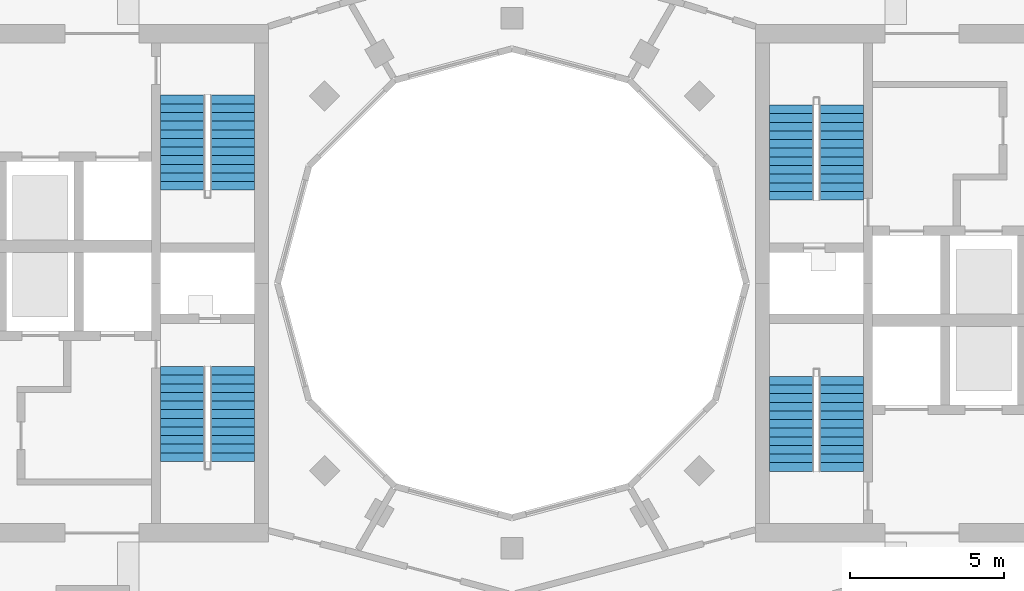
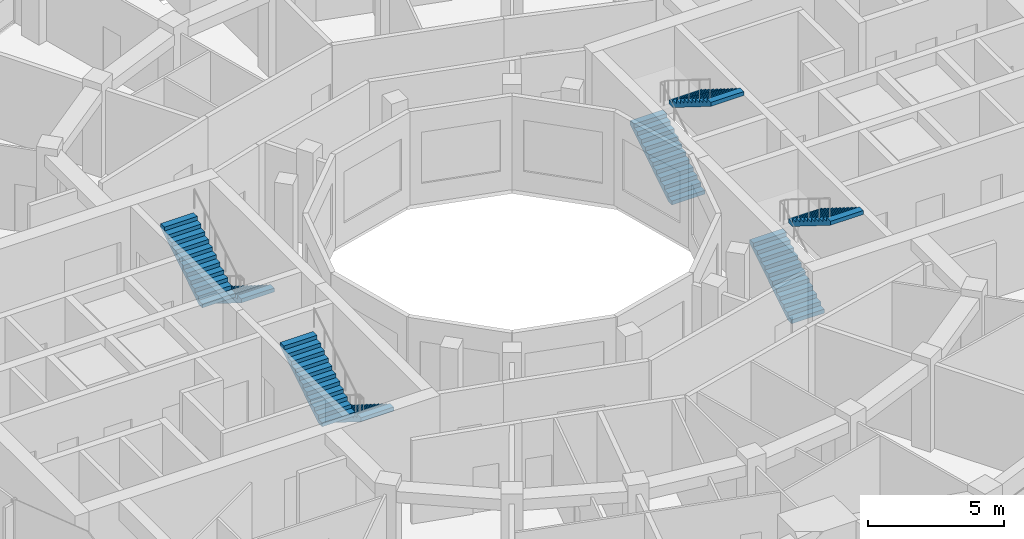
# One storey, part 13 of 15: 8 stair flights, 4 elements without a shape of their own.
"""IFC4 building model written with IfcOpenShell, lengths in metres."""

from ifc_helpers import new_model, si_unit, direction, frame, origin, place, context, subcontext, project, spatial, polyline, outline, extrude, material, layer, layer_set, type_object, element, aggregate, save


model = new_model("IFC4")

# Units and contexts
model_context = context("Model", 3, precision=1e-05, world=origin(), true_north=direction((0.0, 1.0)))
body_context = subcontext(model_context, "Body", "Model", "MODEL_VIEW")
ifc_project = project(units=[si_unit("LENGTHUNIT", "METRE"), si_unit("AREAUNIT", "SQUARE_METRE"), si_unit("VOLUMEUNIT", "CUBIC_METRE"), si_unit("PLANEANGLEUNIT", "RADIAN"), si_unit("MASSUNIT", "GRAM", prefix="KILO")], contexts=[model_context])

# Site, building, storey
site_placement = place(None, origin())
site = spatial("IfcSite", under=ifc_project, at=site_placement, CompositionType="ELEMENT")
building_placement = place(site_placement, origin())
building = spatial("IfcBuilding", under=site, at=building_placement, Name="Torre Brocal", CompositionType="ELEMENT")
storey_placement = place(building_placement, frame((0.0, 0.0, 216.699951171875)))
storey = spatial("IfcBuildingStorey", under=building, at=storey_placement, Name="L50", CompositionType="ELEMENT", Elevation=216.699951171875)

# Stair, stair flights
ifc_material_1 = material(Name="Concrete C50", Category="concrete")
stair_type = type_object("IfcStairType", Name="EXIT STAIR", PredefinedType="HALF_TURN_STAIR", material=ifc_material_1)
stair_1_placement = place(storey_placement, origin())
stair_1 = element("IfcStair", 1, at=stair_1_placement, inside=storey, type_object=stair_type, Name="EXIT STAIR ST1", PredefinedType="HALF_TURN_STAIR")
ifc_material_2 = material(Name="Concrete C50", Category="concrete")
ifc_layer = layer(ifc_material_2, 0.14990234375)
ifc_layer_set = layer_set([ifc_layer], Name="Concrete C50")
stair_flight_type = type_object("IfcStairFlightType", Name="STAIR FLIGHT", PredefinedType="STRAIGHT", material=ifc_layer_set)
stair_flight_1_placement = place(storey_placement, frame((89.050048828125, 77.699951171875, 0.0), z_axis=(0.0, 0.0, 1.0), x_axis=(0.0, 1.0, 0.0)))
stair_flight_1 = element("IfcStairFlight", 2, at=stair_flight_1_placement, type_object=stair_flight_type, Name="ST1 flight 1", NumberOfRisers=12, NumberOfTreads=11, PredefinedType="STRAIGHT", RiserHeight=0.175, TreadLength=0.28, context=body_context, shape_type="SweptSolid", body=[
    extrude(outline(polyline([(0.0, 0.0), (0.0, 0.175048828125), (0.280029296875, 0.175048828125), (0.280029296875, 0.35009765625), (0.56005859375, 0.35009765625), (0.56005859375, 0.52490234375), (0.840087890625, 0.52490234375), (0.840087890625, 0.699951171875), (1.1201171875, 0.699951171875), (1.1201171875, 0.875), (1.39990234375, 0.875), (1.39990234375, 1.050048828125), (1.679931640625, 1.050048828125), (1.679931640625, 1.22509765625), (1.9599609375, 1.22509765625), (1.9599609375, 1.39990234375), (2.239990234375, 1.39990234375), (2.239990234375, 1.574951171875), (2.52001953125, 1.574951171875), (2.52001953125, 1.75), (2.800048828125, 1.75), (2.800048828125, 1.925048828125), (3.080078125, 1.925048828125), (3.080078125, 2.10009765625), (3.080078125, 1.748291015625), (0.28271484375, 0.0), (0.0, 0.0)])), frame((0.0, 0.699951171875, 0.0), z_axis=(0.0, -1.0, 0.0), x_axis=(1.0, 0.0, 0.0)), (0.0, 0.0, 1.0), 1.39990234375),
])
stair_flight_2_placement = place(storey_placement, frame((90.699951171875, 80.780029296875, 2.10009765625), z_axis=(0.0, 0.0, 1.0), x_axis=(0.0, -1.0, 0.0)))
stair_flight_2 = element("IfcStairFlight", 3, at=stair_flight_2_placement, type_object=stair_flight_type, Name="ST1 flight 2", NumberOfRisers=12, NumberOfTreads=11, PredefinedType="STRAIGHT", RiserHeight=0.175, TreadLength=0.28, context=body_context, shape_type="SweptSolid", body=[
    extrude(outline(polyline([(0.0, 0.0), (0.0, 0.175048828125), (0.280029296875, 0.175048828125), (0.280029296875, 0.35009765625), (0.56005859375, 0.35009765625), (0.56005859375, 0.52490234375), (0.840087890625, 0.52490234375), (0.840087890625, 0.699951171875), (1.1201171875, 0.699951171875), (1.1201171875, 0.875), (1.39990234375, 0.875), (1.39990234375, 1.050048828125), (1.679931640625, 1.050048828125), (1.679931640625, 1.22509765625), (1.9599609375, 1.22509765625), (1.9599609375, 1.39990234375), (2.239990234375, 1.39990234375), (2.239990234375, 1.574951171875), (2.52001953125, 1.574951171875), (2.52001953125, 1.75), (2.800048828125, 1.75), (2.800048828125, 1.925048828125), (3.080078125, 1.925048828125), (3.080078125, 2.10009765625), (3.080078125, 1.748291015625), (0.28271484375, 0.0), (0.0, 0.0)])), frame((0.0, 0.699951171875, 0.0), z_axis=(0.0, -1.0, 0.0), x_axis=(1.0, 0.0, 0.0)), (0.0, 0.0, 1.0), 1.39990234375),
])
aggregate(stair_1, [stair_flight_1, stair_flight_2])

stair_2_placement = place(storey_placement, origin())
stair_2 = element("IfcStair", 4, at=stair_2_placement, inside=storey, type_object=stair_type, Name="EXIT STAIR ST2", PredefinedType="HALF_TURN_STAIR")
stair_flight_3_placement = place(storey_placement, frame((89.050048828125, 68.89990234375, 0.0), z_axis=(0.0, 0.0, 1.0), x_axis=(0.0, 1.0, 0.0)))
stair_flight_3 = element("IfcStairFlight", 5, at=stair_flight_3_placement, type_object=stair_flight_type, Name="ST2 flight 1", NumberOfRisers=12, NumberOfTreads=11, PredefinedType="STRAIGHT", RiserHeight=0.175, TreadLength=0.28, context=body_context, shape_type="SweptSolid", body=[
    extrude(outline(polyline([(0.0, 0.0), (0.0, 0.175048828125), (0.280029296875, 0.175048828125), (0.280029296875, 0.35009765625), (0.56005859375, 0.35009765625), (0.56005859375, 0.52490234375), (0.840087890625, 0.52490234375), (0.840087890625, 0.699951171875), (1.1201171875, 0.699951171875), (1.1201171875, 0.875), (1.39990234375, 0.875), (1.39990234375, 1.050048828125), (1.679931640625, 1.050048828125), (1.679931640625, 1.22509765625), (1.9599609375, 1.22509765625), (1.9599609375, 1.39990234375), (2.239990234375, 1.39990234375), (2.239990234375, 1.574951171875), (2.52001953125, 1.574951171875), (2.52001953125, 1.75), (2.800048828125, 1.75), (2.800048828125, 1.925048828125), (3.080078125, 1.925048828125), (3.080078125, 2.10009765625), (3.080078125, 1.748291015625), (0.28271484375, 0.0), (0.0, 0.0)])), frame((0.0, 0.699951171875, 0.0), z_axis=(0.0, -1.0, 0.0), x_axis=(1.0, 0.0, 0.0)), (0.0, 0.0, 1.0), 1.39990234375),
])
stair_flight_4_placement = place(storey_placement, frame((90.699951171875, 71.97998046875, 2.10009765625), z_axis=(0.0, 0.0, 1.0), x_axis=(0.0, -1.0, 0.0)))
stair_flight_4 = element("IfcStairFlight", 6, at=stair_flight_4_placement, type_object=stair_flight_type, Name="ST2 flight 2", NumberOfRisers=12, NumberOfTreads=11, PredefinedType="STRAIGHT", RiserHeight=0.175, TreadLength=0.28, context=body_context, shape_type="SweptSolid", body=[
    extrude(outline(polyline([(0.0, 0.0), (0.0, 0.175048828125), (0.280029296875, 0.175048828125), (0.280029296875, 0.35009765625), (0.56005859375, 0.35009765625), (0.56005859375, 0.52490234375), (0.840087890625, 0.52490234375), (0.840087890625, 0.699951171875), (1.1201171875, 0.699951171875), (1.1201171875, 0.875), (1.39990234375, 0.875), (1.39990234375, 1.050048828125), (1.679931640625, 1.050048828125), (1.679931640625, 1.22509765625), (1.9599609375, 1.22509765625), (1.9599609375, 1.39990234375), (2.239990234375, 1.39990234375), (2.239990234375, 1.574951171875), (2.52001953125, 1.574951171875), (2.52001953125, 1.75), (2.800048828125, 1.75), (2.800048828125, 1.925048828125), (3.080078125, 1.925048828125), (3.080078125, 2.10009765625), (3.080078125, 1.748291015625), (0.28271484375, 0.0), (0.0, 0.0)])), frame((0.0, 0.699951171875, 0.0), z_axis=(0.0, -1.0, 0.0), x_axis=(1.0, 0.0, 0.0)), (0.0, 0.0, 1.0), 1.39990234375),
])
aggregate(stair_2, [stair_flight_3, stair_flight_4])

stair_3_placement = place(storey_placement, origin())
stair_3 = element("IfcStair", 7, at=stair_3_placement, inside=storey, type_object=stair_type, Name="EXIT STAIR ST3", PredefinedType="HALF_TURN_STAIR")
stair_flight_5_placement = place(storey_placement, frame((70.949951171875, 72.300048828125, 0.0), z_axis=(0.0, 0.0, 1.0), x_axis=(0.0, -1.0, 0.0)))
stair_flight_5 = element("IfcStairFlight", 8, at=stair_flight_5_placement, type_object=stair_flight_type, Name="ST3 flight 1", NumberOfRisers=12, NumberOfTreads=11, PredefinedType="STRAIGHT", RiserHeight=0.175, TreadLength=0.28, context=body_context, shape_type="SweptSolid", body=[
    extrude(outline(polyline([(0.0, 0.0), (0.0, 0.175048828125), (0.280029296875, 0.175048828125), (0.280029296875, 0.35009765625), (0.56005859375, 0.35009765625), (0.56005859375, 0.52490234375), (0.840087890625, 0.52490234375), (0.840087890625, 0.699951171875), (1.1201171875, 0.699951171875), (1.1201171875, 0.875), (1.39990234375, 0.875), (1.39990234375, 1.050048828125), (1.679931640625, 1.050048828125), (1.679931640625, 1.22509765625), (1.9599609375, 1.22509765625), (1.9599609375, 1.39990234375), (2.239990234375, 1.39990234375), (2.239990234375, 1.574951171875), (2.52001953125, 1.574951171875), (2.52001953125, 1.75), (2.800048828125, 1.75), (2.800048828125, 1.925048828125), (3.080078125, 1.925048828125), (3.080078125, 2.10009765625), (3.080078125, 1.748291015625), (0.28271484375, 0.0), (0.0, 0.0)])), frame((0.0, 0.699951171875, 0.0), z_axis=(0.0, -1.0, 0.0), x_axis=(1.0, 0.0, 0.0)), (0.0, 0.0, 1.0), 1.39990234375),
])
stair_flight_6_placement = place(storey_placement, frame((69.300048828125, 69.219970703125, 2.10009765625), z_axis=(0.0, 0.0, 1.0), x_axis=(0.0, 1.0, 0.0)))
stair_flight_6 = element("IfcStairFlight", 9, at=stair_flight_6_placement, type_object=stair_flight_type, Name="ST3 flight 2", NumberOfRisers=12, NumberOfTreads=11, PredefinedType="STRAIGHT", RiserHeight=0.175, TreadLength=0.28, context=body_context, shape_type="SweptSolid", body=[
    extrude(outline(polyline([(0.0, 0.0), (0.0, 0.175048828125), (0.280029296875, 0.175048828125), (0.280029296875, 0.35009765625), (0.56005859375, 0.35009765625), (0.56005859375, 0.52490234375), (0.840087890625, 0.52490234375), (0.840087890625, 0.699951171875), (1.1201171875, 0.699951171875), (1.1201171875, 0.875), (1.39990234375, 0.875), (1.39990234375, 1.050048828125), (1.679931640625, 1.050048828125), (1.679931640625, 1.22509765625), (1.9599609375, 1.22509765625), (1.9599609375, 1.39990234375), (2.239990234375, 1.39990234375), (2.239990234375, 1.574951171875), (2.52001953125, 1.574951171875), (2.52001953125, 1.75), (2.800048828125, 1.75), (2.800048828125, 1.925048828125), (3.080078125, 1.925048828125), (3.080078125, 2.10009765625), (3.080078125, 1.748291015625), (0.28271484375, 0.0), (0.0, 0.0)])), frame((0.0, 0.699951171875, 0.0), z_axis=(0.0, -1.0, 0.0), x_axis=(1.0, 0.0, 0.0)), (0.0, 0.0, 1.0), 1.39990234375),
])
aggregate(stair_3, [stair_flight_5, stair_flight_6])

stair_4_placement = place(storey_placement, origin())
stair_4 = element("IfcStair", 10, at=stair_4_placement, inside=storey, type_object=stair_type, Name="EXIT STAIR ST4", PredefinedType="HALF_TURN_STAIR")
stair_flight_7_placement = place(storey_placement, frame((70.949951171875, 81.10009765625, 0.0), z_axis=(0.0, 0.0, 1.0), x_axis=(0.0, -1.0, 0.0)))
stair_flight_7 = element("IfcStairFlight", 11, at=stair_flight_7_placement, type_object=stair_flight_type, Name="ST4 flight 1", NumberOfRisers=12, NumberOfTreads=11, PredefinedType="STRAIGHT", RiserHeight=0.175, TreadLength=0.28, context=body_context, shape_type="SweptSolid", body=[
    extrude(outline(polyline([(0.0, 0.0), (0.0, 0.175048828125), (0.280029296875, 0.175048828125), (0.280029296875, 0.35009765625), (0.56005859375, 0.35009765625), (0.56005859375, 0.52490234375), (0.840087890625, 0.52490234375), (0.840087890625, 0.699951171875), (1.1201171875, 0.699951171875), (1.1201171875, 0.875), (1.39990234375, 0.875), (1.39990234375, 1.050048828125), (1.679931640625, 1.050048828125), (1.679931640625, 1.22509765625), (1.9599609375, 1.22509765625), (1.9599609375, 1.39990234375), (2.239990234375, 1.39990234375), (2.239990234375, 1.574951171875), (2.52001953125, 1.574951171875), (2.52001953125, 1.75), (2.800048828125, 1.75), (2.800048828125, 1.925048828125), (3.080078125, 1.925048828125), (3.080078125, 2.10009765625), (3.080078125, 1.748291015625), (0.28271484375, 0.0), (0.0, 0.0)])), frame((0.0, 0.699951171875, 0.0), z_axis=(0.0, -1.0, 0.0), x_axis=(1.0, 0.0, 0.0)), (0.0, 0.0, 1.0), 1.39990234375),
])
stair_flight_8_placement = place(storey_placement, frame((69.300048828125, 78.02001953125, 2.10009765625), z_axis=(0.0, 0.0, 1.0), x_axis=(0.0, 1.0, 0.0)))
stair_flight_8 = element("IfcStairFlight", 12, at=stair_flight_8_placement, type_object=stair_flight_type, Name="ST4 flight 2", NumberOfRisers=12, NumberOfTreads=11, PredefinedType="STRAIGHT", RiserHeight=0.175, TreadLength=0.28, context=body_context, shape_type="SweptSolid", body=[
    extrude(outline(polyline([(0.0, 0.0), (0.0, 0.175048828125), (0.280029296875, 0.175048828125), (0.280029296875, 0.35009765625), (0.56005859375, 0.35009765625), (0.56005859375, 0.52490234375), (0.840087890625, 0.52490234375), (0.840087890625, 0.699951171875), (1.1201171875, 0.699951171875), (1.1201171875, 0.875), (1.39990234375, 0.875), (1.39990234375, 1.050048828125), (1.679931640625, 1.050048828125), (1.679931640625, 1.22509765625), (1.9599609375, 1.22509765625), (1.9599609375, 1.39990234375), (2.239990234375, 1.39990234375), (2.239990234375, 1.574951171875), (2.52001953125, 1.574951171875), (2.52001953125, 1.75), (2.800048828125, 1.75), (2.800048828125, 1.925048828125), (3.080078125, 1.925048828125), (3.080078125, 2.10009765625), (3.080078125, 1.748291015625), (0.28271484375, 0.0), (0.0, 0.0)])), frame((0.0, 0.699951171875, 0.0), z_axis=(0.0, -1.0, 0.0), x_axis=(1.0, 0.0, 0.0)), (0.0, 0.0, 1.0), 1.39990234375),
])
aggregate(stair_4, [stair_flight_7, stair_flight_8])

save(model, "model.ifc")
